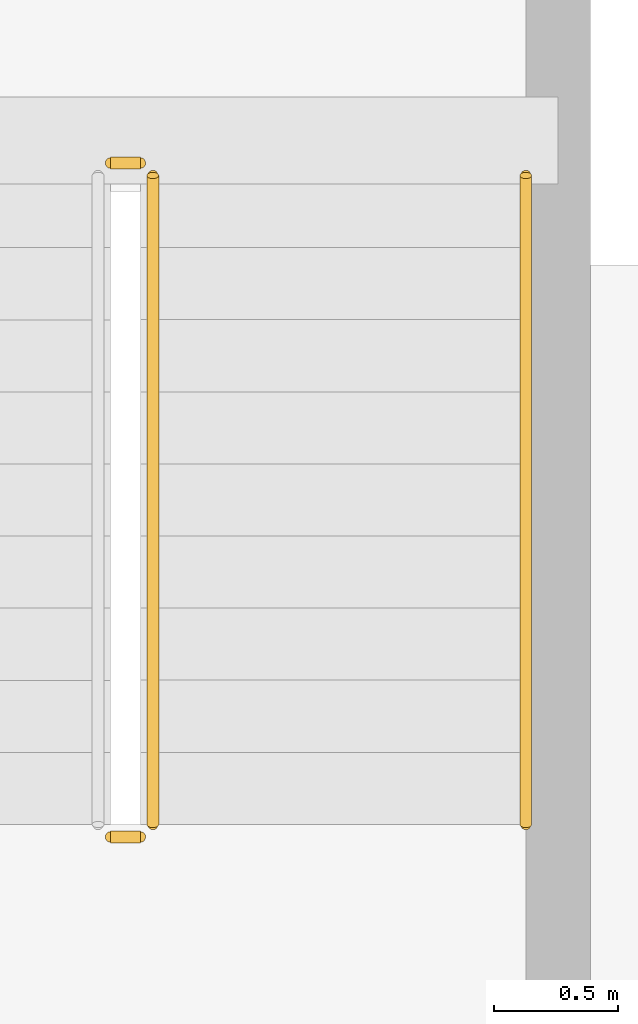
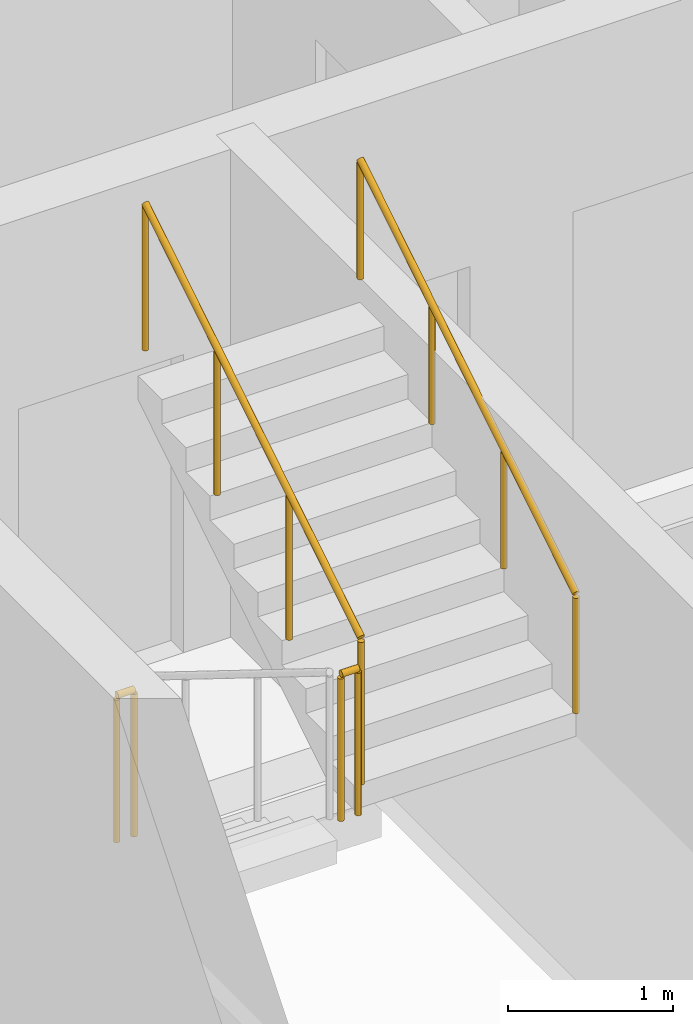
# One storey, part 33 of 34: 4 railings.
"""IFC4 building model written with IfcOpenShell, lengths in metres."""

from ifc_helpers import new_model, si_unit, direction, frame, origin, origin_2d, place, context, subcontext, project, spatial, circle, extrude, material, type_object, element, save


model = new_model("IFC4")

# Units and contexts
model_context = context("Model", 3, precision=1e-05, world=origin(), true_north=direction((0.0, 1.0)))
body_context = subcontext(model_context, "Body", "Model", "MODEL_VIEW")
ifc_project = project(units=[si_unit("LENGTHUNIT", "METRE"), si_unit("AREAUNIT", "SQUARE_METRE"), si_unit("VOLUMEUNIT", "CUBIC_METRE"), si_unit("PLANEANGLEUNIT", "RADIAN"), si_unit("MASSUNIT", "GRAM", prefix="KILO")], contexts=[model_context])

# Site, building, storey
site_placement = place(None, origin())
site = spatial("IfcSite", under=ifc_project, at=site_placement, CompositionType="ELEMENT")
building_placement = place(site_placement, origin())
building = spatial("IfcBuilding", under=site, at=building_placement, Name="Vharandega Faculty of Natural Sciences", CompositionType="ELEMENT")
storey_placement = place(building_placement, frame((0.0, 0.0, 21.60009765625)))
storey = spatial("IfcBuildingStorey", under=building, at=storey_placement, Name="L05", CompositionType="ELEMENT", Elevation=21.60009765625)

# Railings
ifc_material_1 = material(Name="Brushed stainless steel handrail", Category="steel")
railing_type_1 = type_object("IfcRailingType", Name="Stair Tubular Handrail 900", PredefinedType="HANDRAIL", material=ifc_material_1)
railing_1_placement = place(storey_placement, frame((149.330078125, 68.050048828125, 1.97998046875)))
element("IfcRailing", 1, at=railing_1_placement, inside=storey, type_object=railing_type_1, Name="L05 ST2 stair handrail 2", PredefinedType="HANDRAIL", context=body_context, shape_type="SweptSolid", body=[
    extrude(circle(Radius=0.02392578125, at=origin_2d()), frame((0.0, 0.0, 0.8759765625), z_axis=(0.0, 0.849646306263, 0.527352969322), x_axis=(-1.0, 0.0, 0.0)), (0.0, 0.0, 1.0), 3.07177734375),
    extrude(circle(Radius=0.02099609375, at=origin_2d()), origin(), (0.0, 0.0, 1.0), 0.851806640625),
    extrude(circle(Radius=0.02099609375, at=origin_2d()), frame((0.0, 0.869873046875, 0.5400390625)), (0.0, 0.0, 1.0), 0.851806640625),
    extrude(circle(Radius=0.02099609375, at=origin_2d()), frame((0.0, 1.739990234375, 1.079833984375)), (0.0, 0.0, 1.0), 0.851806640625),
    extrude(circle(Radius=0.02099609375, at=origin_2d()), frame((0.0, 2.60986328125, 1.619873046875)), (0.0, 0.0, 1.0), 0.851806640625),
])
ifc_material_2 = material(Name="Painted steel stair guardrail", Category="steel")
railing_type_2 = type_object("IfcRailingType", Name="Stairwell Steel Guardrail 1100", PredefinedType="GUARDRAIL", material=ifc_material_2)
railing_2_placement = place(storey_placement, frame((147.659912109375, 68.0, 1.7998046875)))
element("IfcRailing", 2, at=railing_2_placement, inside=storey, type_object=railing_type_2, Name="L05 ST2 stair guard 2", PredefinedType="GUARDRAIL", context=body_context, shape_type="SweptSolid", body=[
    extrude(circle(Radius=0.02392578125, at=origin_2d()), frame((0.0, 0.0, 1.076171875), z_axis=(1.0, 0.0, 0.0), x_axis=(0.0, 1.0, 0.0)), (0.0, 0.0, 1.0), 0.1201171875),
    extrude(circle(Radius=0.02099609375, at=origin_2d()), origin(), (0.0, 0.0, 1.0), 1.052001953125),
    extrude(circle(Radius=0.02099609375, at=origin_2d()), frame((0.1201171875, 0.0, 0.0)), (0.0, 0.0, 1.0), 1.052001953125),
])
railing_3_placement = place(storey_placement, frame((147.830078125, 68.050048828125, 1.97998046875)))
element("IfcRailing", 3, at=railing_3_placement, inside=storey, type_object=railing_type_2, Name="L05 ST2 stair guard 3", PredefinedType="GUARDRAIL", context=body_context, shape_type="SweptSolid", body=[
    extrude(circle(Radius=0.02392578125, at=origin_2d()), frame((0.0, 0.0, 1.076171875), z_axis=(0.0, 0.849646306263, 0.527352969322), x_axis=(-1.0, 0.0, 0.0)), (0.0, 0.0, 1.0), 3.07177734375),
    extrude(circle(Radius=0.02099609375, at=origin_2d()), origin(), (0.0, 0.0, 1.0), 1.052001953125),
    extrude(circle(Radius=0.02099609375, at=origin_2d()), frame((0.0, 0.869873046875, 0.5400390625)), (0.0, 0.0, 1.0), 1.052001953125),
    extrude(circle(Radius=0.02099609375, at=origin_2d()), frame((0.0, 1.739990234375, 1.079833984375)), (0.0, 0.0, 1.0), 1.052001953125),
    extrude(circle(Radius=0.02099609375, at=origin_2d()), frame((0.0, 2.60986328125, 1.619873046875)), (0.0, 0.0, 1.0), 1.052001953125),
])
railing_4_placement = place(storey_placement, frame((147.659912109375, 70.7099609375, 0.0)))
element("IfcRailing", 4, at=railing_4_placement, inside=storey, type_object=railing_type_2, Name="L05 ST2 stair guard 4", PredefinedType="GUARDRAIL", context=body_context, shape_type="SweptSolid", body=[
    extrude(circle(Radius=0.02392578125, at=origin_2d()), frame((0.0, 0.0, 1.076171875), z_axis=(1.0, 0.0, 0.0), x_axis=(0.0, 1.0, 0.0)), (0.0, 0.0, 1.0), 0.1201171875),
    extrude(circle(Radius=0.02099609375, at=origin_2d()), origin(), (0.0, 0.0, 1.0), 1.052001953125),
    extrude(circle(Radius=0.02099609375, at=origin_2d()), frame((0.1201171875, 0.0, 0.0)), (0.0, 0.0, 1.0), 1.052001953125),
])

save(model, "model.ifc")
